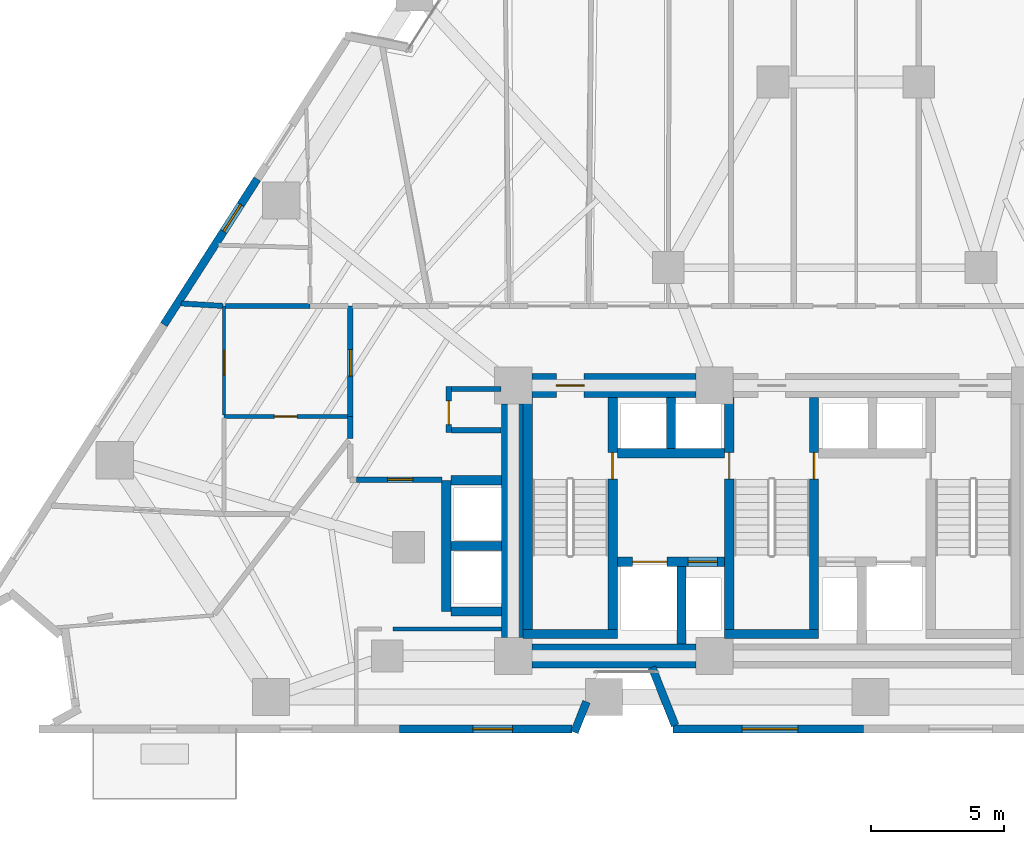
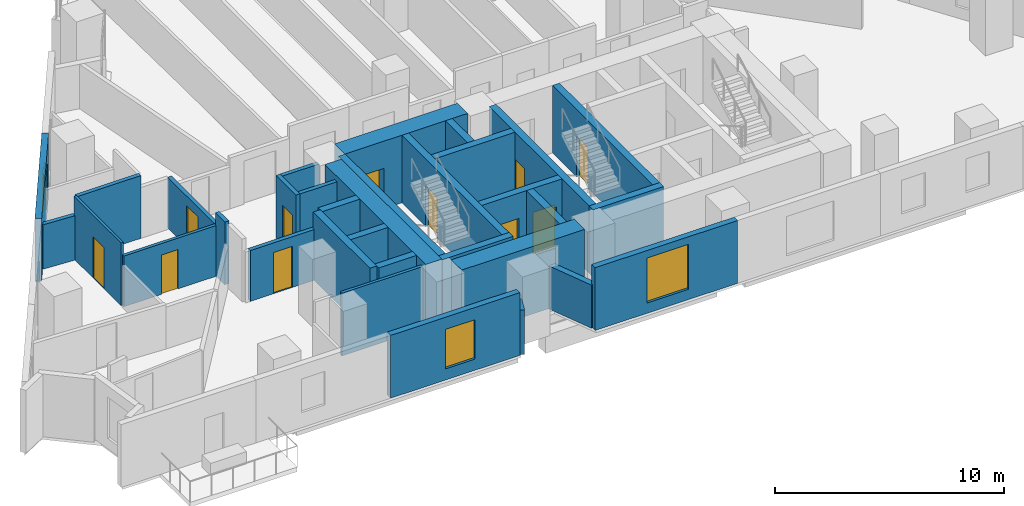
# One storey, part 8 of 15: 33 walls, 11 doors, 3 windows, 14 openings.
"""IFC4 building model written with IfcOpenShell, lengths in metres."""

from ifc_helpers import new_model, si_unit, direction, frame, frame_2d, origin, place, context, subcontext, project, spatial, rectangle, extrude, material, layer, layer_set, type_object, element, fill, save


model = new_model("IFC4")

# Units and contexts
model_context = context("Model", 3, precision=1e-05, world=origin(), true_north=direction((0.0, 1.0)))
body_context = subcontext(model_context, "Body", "Model", "MODEL_VIEW")
ifc_project = project(units=[si_unit("LENGTHUNIT", "METRE"), si_unit("AREAUNIT", "SQUARE_METRE"), si_unit("VOLUMEUNIT", "CUBIC_METRE"), si_unit("PLANEANGLEUNIT", "RADIAN"), si_unit("MASSUNIT", "GRAM", prefix="KILO")], contexts=[model_context])

# Site, building, storey
site_placement = place(None, origin())
site = spatial("IfcSite", under=ifc_project, at=site_placement, CompositionType="ELEMENT")
building_placement = place(site_placement, origin())
building = spatial("IfcBuilding", under=site, at=building_placement, Name="Almagre Mirador Tower", CompositionType="ELEMENT")
storey_placement = place(building_placement, frame((0.0, 0.0, 31.800048828125)))
storey = spatial("IfcBuildingStorey", under=building, at=storey_placement, Name="L06", CompositionType="ELEMENT", Elevation=31.800048828125)

# Wall, opening, window
ifc_material_1 = material(Name="Precast concrete C50/60", Category="concrete")
ifc_layer_1 = layer(ifc_material_1, 0.300048828125)
ifc_layer_set_1 = layer_set([ifc_layer_1], Name="Precast concrete C50/60")
wall_type_1 = type_object("IfcWallType", Name="WAL-EXT-300", PredefinedType="SOLIDWALL", material=ifc_layer_set_1)
wall_1_placement = place(storey_placement, frame((40.760986328125, 1.800048828125, 0.0), z_axis=(0.0, 0.0, 1.0), x_axis=(-1.0, 0.0, 0.0)))
wall_1 = element("IfcWall", 1, at=wall_1_placement, inside=storey, type_object=wall_type_1, Name="L06 expressed almagre precast frame wall 25", PredefinedType="SOLIDWALL", context=body_context, shape_type="SweptSolid", body=[
    extrude(rectangle(XDim=7.19287109375, YDim=0.300048828125, at=frame_2d((3.596435546875, 0.0))), origin(), (0.0, 0.0, 1.0), 3.349853515625),
])
opening_1_placement = place(wall_1_placement, frame((2.47509765625, 0.0, 0.550048828125)))
opening_1 = element("IfcOpeningElement", 2, at=opening_1_placement, cuts=wall_1, Name="Opening WN-05", PredefinedType="OPENING", context=body_context, shape_type="SweptSolid", body=[
    extrude(rectangle(XDim=2.10009765625, YDim=2.39990234375, at=frame_2d((1.050048828125, 1.199951171875))), frame((0.0, 0.159902, 0.0), z_axis=(0.0, -1.0, 0.0), x_axis=(1.0, 0.0, 0.0)), (0.0, 0.0, 1.0), 0.320049),
])
ifc_material_2 = material(Name="Dark solar-control laminated hurricane glass", Category="glass")
window_type_1 = type_object("IfcWindowType", Name="WIN-2100X2400", PartitioningType="DOUBLE_PANEL_VERTICAL", PredefinedType="WINDOW", material=ifc_material_2)
window_1_placement = place(opening_1_placement, origin())
window_1 = element("IfcWindow", 3, at=window_1_placement, inside=storey, type_object=window_type_1, Name="L06 recessed hurricane window L06-RST-C", OverallHeight=2.39990234375, OverallWidth=2.10009765625, PartitioningType="SINGLE_PANEL", PredefinedType="WINDOW", context=body_context, shape_type="SweptSolid", body=[
    extrude(rectangle(XDim=2.10009765625, YDim=2.39990234375, at=frame_2d((1.050048828125, 1.199951171875))), frame((0.0, 0.030029296875, 0.0), z_axis=(0.0, -1.0, 0.0), x_axis=(1.0, 0.0, 0.0)), (0.0, 0.0, 1.0), 0.06005859375),
])
fill(opening_1, window_1)

# Walls
wall_2_placement = place(storey_placement, frame((33.658203125, 1.92529296875, 0.0), z_axis=(0.0, 0.0, 1.0), x_axis=(-0.36946923074, 0.92924296475, 0.0)))
element("IfcWall", 4, at=wall_2_placement, inside=storey, type_object=wall_type_1, Name="L06 expressed almagre precast frame wall 26", PredefinedType="SOLIDWALL", context=body_context, shape_type="SweptSolid", body=[
    extrude(rectangle(XDim=2.366943359375, YDim=0.300048828125, at=frame_2d((1.18359375, 0.0))), origin(), (0.0, 0.0, 1.0), 2.300048828125),
])
wall_3_placement = place(storey_placement, frame((30.31396484375, 2.82080078125, 0.0), z_axis=(0.0, 0.0, 1.0), x_axis=(-0.369588763291, -0.929195429417, 0.0)))
element("IfcWall", 5, at=wall_3_placement, inside=storey, type_object=wall_type_1, Name="L06 expressed almagre precast frame wall 27", PredefinedType="SOLIDWALL", context=body_context, shape_type="SweptSolid", body=[
    extrude(rectangle(XDim=1.238525390625, YDim=0.300048828125, at=frame_2d((0.619140625, 0.0))), origin(), (0.0, 0.0, 1.0), 2.375),
])

# Wall, opening, window
wall_4_placement = place(storey_placement, frame((29.76806640625, 1.800048828125, 0.0), z_axis=(0.0, 0.0, 1.0), x_axis=(-1.0, 0.0, 0.0)))
wall_4 = element("IfcWall", 6, at=wall_4_placement, inside=storey, type_object=wall_type_1, Name="L06 expressed almagre precast frame wall 28", PredefinedType="SOLIDWALL", context=body_context, shape_type="SweptSolid", body=[
    extrude(rectangle(XDim=6.51611328125, YDim=0.300048828125, at=frame_2d((3.258056640625, 0.0))), origin(), (0.0, 0.0, 1.0), 3.349853515625),
])
opening_2_placement = place(wall_4_placement, frame((2.2451171875, 0.0, 0.60009765625)))
opening_2 = element("IfcOpeningElement", 7, at=opening_2_placement, cuts=wall_4, Name="Opening WN-03", PredefinedType="OPENING", context=body_context, shape_type="SweptSolid", body=[
    extrude(rectangle(XDim=1.5, YDim=2.10009765625, at=frame_2d((0.75, 1.050048828125))), frame((0.0, 0.159902, 0.0), z_axis=(0.0, -1.0, 0.0), x_axis=(1.0, 0.0, 0.0)), (0.0, 0.0, 1.0), 0.320049),
])
ifc_material_3 = material(Name="Dark solar-control laminated hurricane glass", Category="glass")
window_type_2 = type_object("IfcWindowType", Name="WIN-1500X2100", PartitioningType="DOUBLE_PANEL_VERTICAL", PredefinedType="WINDOW", material=ifc_material_3)
window_2_placement = place(opening_2_placement, origin())
window_2 = element("IfcWindow", 8, at=window_2_placement, inside=storey, type_object=window_type_2, Name="L06 recessed hurricane window L06-UB-KT", OverallHeight=2.10009765625, OverallWidth=1.5, PartitioningType="SINGLE_PANEL", PredefinedType="WINDOW", context=body_context, shape_type="SweptSolid", body=[
    extrude(rectangle(XDim=1.5, YDim=2.10009765625, at=frame_2d((0.75, 1.050048828125))), frame((0.0, 0.030029296875, 0.0), z_axis=(0.0, -1.0, 0.0), x_axis=(1.0, 0.0, 0.0)), (0.0, 0.0, 1.0), 0.06005859375),
])
fill(opening_2, window_2)

wall_5_placement = place(storey_placement, frame((14.3720703125, 17.049072265625, 0.0), z_axis=(0.0, 0.0, 1.0), x_axis=(0.539499522652, 0.841985905498, 0.0)))
wall_5 = element("IfcWall", 9, at=wall_5_placement, inside=storey, type_object=wall_type_1, Name="L06 expressed almagre precast frame wall 37", PredefinedType="SOLIDWALL", context=body_context, shape_type="SweptSolid", body=[
    extrude(rectangle(XDim=6.525390625, YDim=0.300048828125, at=frame_2d((3.2626953125, 0.0))), origin(), (0.0, 0.0, 1.0), 3.349853515625),
])
opening_3_placement = place(wall_5_placement, frame((4.175048828125, 0.0, 0.800048828125)))
opening_3 = element("IfcOpeningElement", 10, at=opening_3_placement, cuts=wall_5, Name="Opening WN-04", PredefinedType="OPENING", context=body_context, shape_type="SweptSolid", body=[
    extrude(rectangle(XDim=1.199951171875, YDim=1.800048828125, at=frame_2d((0.60009765625, 0.89990234375))), frame((0.0, 0.159902, 0.0), z_axis=(0.0, -1.0, 0.0), x_axis=(1.0, 0.0, 0.0)), (0.0, 0.0, 1.0), 0.320049),
])
ifc_material_4 = material(Name="Dark solar-control laminated hurricane glass", Category="glass")
window_type_3 = type_object("IfcWindowType", Name="WIN-1200X1800", PartitioningType="SINGLE_PANEL", PredefinedType="WINDOW", material=ifc_material_4)
window_3_placement = place(opening_3_placement, origin())
window_3 = element("IfcWindow", 11, at=window_3_placement, inside=storey, type_object=window_type_3, Name="L06 recessed hurricane window L06-UG-KT", OverallHeight=1.800048828125, OverallWidth=1.199951171875, PartitioningType="SINGLE_PANEL", PredefinedType="WINDOW", context=body_context, shape_type="SweptSolid", body=[
    extrude(rectangle(XDim=1.199951171875, YDim=1.800048828125, at=frame_2d((0.60009765625, 0.89990234375))), frame((0.0, 0.030029296875, 0.0), z_axis=(0.0, -1.0, 0.0), x_axis=(1.0, 0.0, 0.0)), (0.0, 0.0, 1.0), 0.06005859375),
])
fill(opening_3, window_3)

# Wall, opening, door
ifc_material_5 = material(Name="Gypsum acoustic stud partition", Category="other")
ifc_layer_2 = layer(ifc_material_5, 0.125)
ifc_layer_set_2 = layer_set([ifc_layer_2], Name="Gypsum acoustic stud partition")
wall_type_2 = type_object("IfcWallType", Name="WAL-PRT-125-UTL", PredefinedType="PARTITIONING", material=ifc_layer_set_2)
wall_6_placement = place(storey_placement, frame((16.639892578125, 17.75, 0.0), z_axis=(0.0, 0.0, 1.0), x_axis=(0.0, -1.0, 0.0)))
wall_6 = element("IfcWall", 12, at=wall_6_placement, inside=storey, type_object=wall_type_2, Name="L06 interior partition 034", PredefinedType="PARTITIONING", context=body_context, shape_type="SweptSolid", body=[
    extrude(rectangle(XDim=4.110107421875, YDim=0.125, at=frame_2d((2.05517578125, 0.0))), origin(), (0.0, 0.0, 1.0), 3.349853515625),
])
opening_4_placement = place(wall_6_placement, frame((1.668701171875, 0.0, 0.0)))
opening_4 = element("IfcOpeningElement", 13, at=opening_4_placement, cuts=wall_6, Name="Opening UD-01", PredefinedType="OPENING", context=body_context, shape_type="SweptSolid", body=[
    extrude(rectangle(XDim=0.949951171875, YDim=2.199951171875, at=frame_2d((0.47509765625, 1.10009765625))), frame((0.0, 0.0725, 0.0), z_axis=(0.0, -1.0, 0.0), x_axis=(1.0, 0.0, 0.0)), (0.0, 0.0, 1.0), 0.145),
])
ifc_material_6 = material(Name="Solid American walnut timber", Category="wood")
door_type_1 = type_object("IfcDoorType", Name="DOR-UNR-950X2200", OperationType="NOTDEFINED", PredefinedType="DOOR", material=ifc_material_6)
door_1_placement = place(opening_4_placement, origin())
door_1 = element("IfcDoor", 14, at=door_1_placement, inside=storey, type_object=door_type_1, Name="DR-0189 L06 interior door L06-UE-ST to L06-UE-KT", OperationType="SINGLE_SWING_RIGHT", OverallHeight=2.199951171875, OverallWidth=0.949951171875, PredefinedType="DOOR", context=body_context, shape_type="SweptSolid", body=[
    extrude(rectangle(XDim=0.949951171875, YDim=2.199951171875, at=frame_2d((0.47509765625, 1.10009765625))), frame((0.0, 0.02490234375, 0.0), z_axis=(0.0, -1.0, 0.0), x_axis=(1.0, 0.0, 0.0)), (0.0, 0.0, 1.0), 0.050048828125),
])
fill(opening_4, door_1)

# Wall
ifc_material_7 = material(Name="Gypsum acoustic stud partition", Category="other")
ifc_layer_3 = layer(ifc_material_7, 0.14990234375)
ifc_layer_set_3 = layer_set([ifc_layer_3], Name="Gypsum acoustic stud partition")
wall_type_3 = type_object("IfcWallType", Name="WAL-PRT-150-STD", PredefinedType="PARTITIONING", material=ifc_layer_set_3)
wall_7_placement = place(storey_placement, frame((23.02001953125, 5.570068359375, 0.0), z_axis=(0.0, 0.0, 1.0), x_axis=(1.0, 0.0, 0.0)))
element("IfcWall", 15, at=wall_7_placement, inside=storey, type_object=wall_type_3, Name="L06 interior partition 030", PredefinedType="PARTITIONING", context=body_context, shape_type="SweptSolid", body=[
    extrude(rectangle(XDim=4.080078125, YDim=0.14990234375, at=frame_2d((2.0400390625, 0.0))), origin(), (0.0, 0.0, 1.0), 3.349853515625),
])

# Wall, opening, door
wall_8_placement = place(storey_placement, frame((16.639892578125, 13.580078125, 0.0), z_axis=(0.0, 0.0, 1.0), x_axis=(1.0, 0.0, 0.0)))
wall_8 = element("IfcWall", 16, at=wall_8_placement, inside=storey, type_object=wall_type_3, Name="L06 interior partition 033", PredefinedType="PARTITIONING", context=body_context, shape_type="SweptSolid", body=[
    extrude(rectangle(XDim=4.675048828125, YDim=0.14990234375, at=frame_2d((2.33740234375, 0.0))), origin(), (0.0, 0.0, 1.0), 2.708984375),
])
opening_5_placement = place(wall_8_placement, frame((1.896484375, 0.0, 0.0)))
opening_5 = element("IfcOpeningElement", 17, at=opening_5_placement, cuts=wall_8, Name="Opening UD-04", PredefinedType="OPENING", context=body_context, shape_type="SweptSolid", body=[
    extrude(rectangle(XDim=0.85009765625, YDim=2.10009765625, at=frame_2d((0.425048828125, 1.050048828125))), frame((0.0, 0.084951, 0.0), z_axis=(0.0, -1.0, 0.0), x_axis=(1.0, 0.0, 0.0)), (0.0, 0.0, 1.0), 0.169902),
])
ifc_material_8 = material(Name="Moisture-resistant oak timber", Category="wood")
door_type_2 = type_object("IfcDoorType", Name="DOR-UNR-850X2100", OperationType="NOTDEFINED", PredefinedType="DOOR", material=ifc_material_8)
door_2_placement = place(opening_5_placement, origin())
door_2 = element("IfcDoor", 18, at=door_2_placement, inside=storey, type_object=door_type_2, Name="DR-0190 L06 interior door L06-UE-ST to L06-UE-BT", OperationType="SINGLE_SWING_LEFT", OverallHeight=2.10009765625, OverallWidth=0.85009765625, PredefinedType="DOOR", context=body_context, shape_type="SweptSolid", body=[
    extrude(rectangle(XDim=0.85009765625, YDim=2.10009765625, at=frame_2d((0.425048828125, 1.050048828125))), frame((0.0, 0.02490234375, 0.0), z_axis=(0.0, -1.0, 0.0), x_axis=(1.0, 0.0, 0.0)), (0.0, 0.0, 1.0), 0.050048828125),
])
fill(opening_5, door_2)

ifc_material_9 = material(Name="Gypsum acoustic stud partition", Category="other")
ifc_layer_4 = layer(ifc_material_9, 0.199951171875)
ifc_layer_set_4 = layer_set([ifc_layer_4], Name="Gypsum acoustic stud partition")
wall_type_4 = type_object("IfcWallType", Name="WAL-PRT-200-EI60", PredefinedType="PARTITIONING", material=ifc_layer_set_4)
wall_9_placement = place(storey_placement, frame((25.1201171875, 12.969970703125, 0.0), z_axis=(0.0, 0.0, 1.0), x_axis=(0.0, 1.0, 0.0)))
wall_9 = element("IfcWall", 19, at=wall_9_placement, inside=storey, type_object=wall_type_4, Name="L06 core ancillary west wall", PredefinedType="PARTITIONING", context=body_context, shape_type="SweptSolid", body=[
    extrude(rectangle(XDim=1.739990234375, YDim=0.199951171875, at=frame_2d((0.8701171875, 0.0))), origin(), (0.0, 0.0, 1.0), 3.349853515625),
])
opening_6_placement = place(wall_9_placement, frame((0.304931640625, 0.0, 0.0)))
opening_6 = element("IfcOpeningElement", 20, at=opening_6_placement, cuts=wall_9, Name="Opening ID-03", PredefinedType="OPENING", context=body_context, shape_type="SweptSolid", body=[
    extrude(rectangle(XDim=0.89990234375, YDim=2.10009765625, at=frame_2d((0.449951171875, 1.050048828125))), frame((0.0, 0.110098, 0.0), z_axis=(0.0, -1.0, 0.0), x_axis=(1.0, 0.0, 0.0)), (0.0, 0.0, 1.0), 0.219951),
])
ifc_material_10 = material(Name="Fire-rated hollow steel", Category="steel")
door_type_3 = type_object("IfcDoorType", Name="DOR-FD60-900X2100", OperationType="NOTDEFINED", PredefinedType="DOOR", material=ifc_material_10)
door_3_placement = place(opening_6_placement, origin())
door_3 = element("IfcDoor", 21, at=door_3_placement, inside=storey, type_object=door_type_3, Name="DR-0175 L06 core ancillary corridor door", OperationType="SINGLE_SWING_LEFT", OverallHeight=2.10009765625, OverallWidth=0.89990234375, PredefinedType="DOOR", context=body_context, shape_type="SweptSolid", body=[
    extrude(rectangle(XDim=0.89990234375, YDim=2.10009765625, at=frame_2d((0.449951171875, 1.050048828125))), frame((0.0, 0.02490234375, 0.0), z_axis=(0.0, -1.0, 0.0), x_axis=(1.0, 0.0, 0.0)), (0.0, 0.0, 1.0), 0.050048828125),
])
fill(opening_6, door_3)

# Walls
for number, where, z_axis, x_axis, name in (
    (22, (25.22509765625, 14.6201171875, 0.0), (0.0, 0.0, 1.0), (1.0, 0.0, 0.0), "L06 core ancillary north wall"),
    (23, (25.22509765625, 13.06005859375, 0.0), (0.0, 0.0, 1.0), (1.0, 0.0, 0.0), "L06 core ancillary south wall"),
):
    element("IfcWall", number, at=place(storey_placement, frame(where, z_axis=z_axis, x_axis=x_axis)), inside=storey, type_object=wall_type_4, Name=name, PredefinedType="PARTITIONING", context=body_context, shape_type="SweptSolid", body=[
        extrude(rectangle(XDim=1.85986328125, YDim=0.199951171875, at=frame_2d((0.929931640625, 0.0))), origin(), (0.0, 0.0, 1.0), 3.349853515625),
    ])

# Wall, opening, door
wall_10_placement = place(storey_placement, frame((21.6298828125, 11.199951171875, 0.0), z_axis=(0.0, 0.0, 1.0), x_axis=(1.0, 0.0, 0.0)))
wall_10 = element("IfcWall", 24, at=wall_10_placement, inside=storey, type_object=wall_type_4, Name="L06 interior partition 003", PredefinedType="PARTITIONING", context=body_context, shape_type="SweptSolid", body=[
    extrude(rectangle(XDim=3.2392578125, YDim=0.199951171875, at=frame_2d((1.61962890625, 0.0))), origin(), (0.0, 0.0, 1.0), 2.708984375),
])
opening_7_placement = place(wall_10_placement, frame((1.18505859375, 0.0, 0.0)))
opening_7 = element("IfcOpeningElement", 25, at=opening_7_placement, cuts=wall_10, Name="Opening UD-01", PredefinedType="OPENING", context=body_context, shape_type="SweptSolid", body=[
    extrude(rectangle(XDim=0.949951171875, YDim=2.199951171875, at=frame_2d((0.47509765625, 1.10009765625))), frame((0.0, 0.110098, 0.0), z_axis=(0.0, -1.0, 0.0), x_axis=(1.0, 0.0, 0.0)), (0.0, 0.0, 1.0), 0.219951),
])
door_4_placement = place(opening_7_placement, origin())
door_4 = element("IfcDoor", 26, at=door_4_placement, inside=storey, type_object=door_type_1, Name="DR-0198 L06 interior door L06-UA-KT to L06-RCOR", OperationType="SINGLE_SWING_LEFT", OverallHeight=2.199951171875, OverallWidth=0.949951171875, PredefinedType="DOOR", context=body_context, shape_type="SweptSolid", body=[
    extrude(rectangle(XDim=0.949951171875, YDim=2.199951171875, at=frame_2d((0.47509765625, 1.10009765625))), frame((0.0, 0.02490234375, 0.0), z_axis=(0.0, -1.0, 0.0), x_axis=(1.0, 0.0, 0.0)), (0.0, 0.0, 1.0), 0.050048828125),
])
fill(opening_7, door_4)

wall_11_placement = place(storey_placement, frame((21.39990234375, 17.75, 0.0), z_axis=(0.0, 0.0, 1.0), x_axis=(0.0, -1.0, 0.0)))
wall_11 = element("IfcWall", 27, at=wall_11_placement, inside=storey, type_object=wall_type_4, Name="L06 interior partition 007", PredefinedType="PARTITIONING", context=body_context, shape_type="SweptSolid", body=[
    extrude(rectangle(XDim=4.169921875, YDim=0.199951171875, at=frame_2d((2.0849609375, 0.0))), origin(), (0.0, 0.0, 1.0), 2.708984375),
])
opening_8_placement = place(wall_11_placement, frame((1.642822265625, 0.0, 0.0)))
opening_8 = element("IfcOpeningElement", 28, at=opening_8_placement, cuts=wall_11, Name="Opening ID-01", PredefinedType="OPENING", context=body_context, shape_type="SweptSolid", body=[
    extrude(rectangle(XDim=1.0, YDim=2.199951171875, at=frame_2d((0.5, 1.10009765625))), frame((0.0, 0.110098, 0.0), z_axis=(0.0, -1.0, 0.0), x_axis=(1.0, 0.0, 0.0)), (0.0, 0.0, 1.0), 0.219951),
])
ifc_material_11 = material(Name="Fire-rated walnut timber", Category="wood")
door_type_4 = type_object("IfcDoorType", Name="DOR-FD60-1000X2200", OperationType="NOTDEFINED", PredefinedType="DOOR", material=ifc_material_11)
door_5_placement = place(opening_8_placement, origin())
door_5 = element("IfcDoor", 29, at=door_5_placement, inside=storey, type_object=door_type_4, Name="DR-0188 L06 interior door L06-RCOR to L06-UE-ST", OperationType="SINGLE_SWING_LEFT", OverallHeight=2.199951171875, OverallWidth=1.0, PredefinedType="DOOR", context=body_context, shape_type="SweptSolid", body=[
    extrude(rectangle(XDim=1.0, YDim=2.199951171875, at=frame_2d((0.5, 1.10009765625))), frame((0.0, 0.02490234375, 0.0), z_axis=(0.0, -1.0, 0.0), x_axis=(1.0, 0.0, 0.0)), (0.0, 0.0, 1.0), 0.050048828125),
])
fill(opening_8, door_5)

# Walls
wall_12_placement = place(storey_placement, frame((21.39990234375, 13.580078125, 0.0), z_axis=(0.0, 0.0, 1.0), x_axis=(0.0, -1.0, 0.0)))
element("IfcWall", 30, at=wall_12_placement, inside=storey, type_object=wall_type_4, Name="L06 interior partition 008", PredefinedType="PARTITIONING", context=body_context, shape_type="SweptSolid", body=[
    extrude(rectangle(XDim=0.830078125, YDim=0.199951171875, at=frame_2d((0.4150390625, 0.0))), origin(), (0.0, 0.0, 1.0), 3.349853515625),
])
wall_13_placement = place(storey_placement, frame((19.889892578125, 17.75, 0.0), z_axis=(0.0, 0.0, 1.0), x_axis=(-1.0, 0.0, 0.0)))
element("IfcWall", 31, at=wall_13_placement, inside=storey, type_object=wall_type_4, Name="L06 interior partition 036", PredefinedType="PARTITIONING", context=body_context, shape_type="SweptSolid", body=[
    extrude(rectangle(XDim=3.202392578125, YDim=0.199951171875, at=frame_2d((1.60107421875, 0.0))), origin(), (0.0, 0.0, 1.0), 3.349853515625),
])
wall_14_placement = place(storey_placement, frame((16.592529296875, 17.752197265625, 0.0), z_axis=(0.0, 0.0, 1.0), x_axis=(-0.998181550188, 0.060279290502, 0.0)))
element("IfcWall", 32, at=wall_14_placement, inside=storey, type_object=wall_type_4, Name="L06 interior partition 038", PredefinedType="PARTITIONING", context=body_context, shape_type="SweptSolid", body=[
    extrude(rectangle(XDim=1.571533203125, YDim=0.199951171875, at=frame_2d((0.78564453125, 0.0))), origin(), (0.0, 0.0, 1.0), 2.369873046875),
])
ifc_material_12 = material(Name="Concrete C60/75", Category="concrete")
ifc_layer_5 = layer(ifc_material_12, 0.35009765625)
ifc_layer_set_5 = layer_set([ifc_layer_5], Name="Concrete C60/75")
wall_type_5 = type_object("IfcWallType", Name="WAL-SHF-350", PredefinedType="SOLIDWALL", material=ifc_layer_set_5)
wall_15_placement = place(storey_placement, frame((28.10009765625, 5.199951171875, 0.0), z_axis=(0.0, 0.0, 1.0), x_axis=(0.0, 1.0, 0.0)))
element("IfcWall", 33, at=wall_15_placement, inside=storey, type_object=wall_type_5, Name="L06 shaft wall ST1-W", PredefinedType="SOLIDWALL", context=body_context, shape_type="SweptSolid", body=[
    extrude(rectangle(XDim=9.10009765625, YDim=0.35009765625, at=frame_2d((4.550048828125, 0.0))), origin(), (0.0, 0.0, 1.0), 3.599853515625),
])

# Wall, opening, door
wall_16_placement = place(storey_placement, frame((31.300048828125, 5.199951171875, 0.0), z_axis=(0.0, 0.0, 1.0), x_axis=(0.0, 1.0, 0.0)))
wall_16 = element("IfcWall", 34, at=wall_16_placement, inside=storey, type_object=wall_type_5, Name="L06 shaft wall ST1-E", PredefinedType="SOLIDWALL", context=body_context, shape_type="SweptSolid", body=[
    extrude(rectangle(XDim=9.10009765625, YDim=0.35009765625, at=frame_2d((4.550048828125, 0.0))), origin(), (0.0, 0.0, 1.0), 3.599853515625),
])
opening_9_placement = place(wall_16_placement, frame((6.02001953125, 0.0, 0.0)))
opening_9 = element("IfcOpeningElement", 35, at=opening_9_placement, cuts=wall_16, Name="Opening FD-01", PredefinedType="OPENING", context=body_context, shape_type="SweptSolid", body=[
    extrude(rectangle(XDim=1.0, YDim=2.14990234375, at=frame_2d((0.5, 1.074951171875))), frame((0.0, 0.185049, 0.0), z_axis=(0.0, -1.0, 0.0), x_axis=(1.0, 0.0, 0.0)), (0.0, 0.0, 1.0), 0.370098),
])
ifc_material_13 = material(Name="Fire-rated hollow steel", Category="steel")
door_type_5 = type_object("IfcDoorType", Name="DOR-FFL-1000X2150", OperationType="NOTDEFINED", PredefinedType="DOOR", material=ifc_material_13)
door_6_placement = place(opening_9_placement, origin())
door_6 = element("IfcDoor", 36, at=door_6_placement, inside=storey, type_object=door_type_5, Name="DR-0176 L06 FFL1-ST1 smokeproof door", OperationType="SINGLE_SWING_LEFT", OverallHeight=2.14990234375, OverallWidth=1.0, PredefinedType="DOOR", context=body_context, shape_type="SweptSolid", body=[
    extrude(rectangle(XDim=1.0, YDim=2.14990234375, at=frame_2d((0.5, 1.074951171875))), frame((0.0, 0.02490234375, 0.0), z_axis=(0.0, -1.0, 0.0), x_axis=(1.0, 0.0, 0.0)), (0.0, 0.0, 1.0), 0.050048828125),
])
fill(opening_9, door_6)

# Wall
wall_17_placement = place(storey_placement, frame((27.925048828125, 5.375, 0.0), z_axis=(0.0, 0.0, 1.0), x_axis=(1.0, 0.0, 0.0)))
element("IfcWall", 37, at=wall_17_placement, inside=storey, type_object=wall_type_5, Name="L06 shaft wall ST1-S", PredefinedType="SOLIDWALL", context=body_context, shape_type="SweptSolid", body=[
    extrude(rectangle(XDim=3.550048828125, YDim=0.35009765625, at=frame_2d((1.77490234375, 0.0))), origin(), (0.0, 0.0, 1.0), 3.599853515625),
])

# Wall, opening, door
wall_18_placement = place(storey_placement, frame((35.699951171875, 5.199951171875, 0.0), z_axis=(0.0, 0.0, 1.0), x_axis=(0.0, 1.0, 0.0)))
wall_18 = element("IfcWall", 38, at=wall_18_placement, inside=storey, type_object=wall_type_5, Name="L06 shaft wall ST2-W", PredefinedType="SOLIDWALL", context=body_context, shape_type="SweptSolid", body=[
    extrude(rectangle(XDim=9.10009765625, YDim=0.35009765625, at=frame_2d((4.550048828125, 0.0))), origin(), (0.0, 0.0, 1.0), 3.599853515625),
])
opening_10_placement = place(wall_18_placement, frame((6.02001953125, 0.0, 0.0)))
opening_10 = element("IfcOpeningElement", 39, at=opening_10_placement, cuts=wall_18, Name="Opening FD-01", PredefinedType="OPENING", context=body_context, shape_type="SweptSolid", body=[
    extrude(rectangle(XDim=1.0, YDim=2.14990234375, at=frame_2d((0.5, 1.074951171875))), frame((0.0, 0.185049, 0.0), z_axis=(0.0, -1.0, 0.0), x_axis=(1.0, 0.0, 0.0)), (0.0, 0.0, 1.0), 0.370098),
])
door_7_placement = place(opening_10_placement, origin())
door_7 = element("IfcDoor", 40, at=door_7_placement, inside=storey, type_object=door_type_5, Name="DR-0177 L06 FFL1-ST2 smokeproof door", OperationType="SINGLE_SWING_RIGHT", OverallHeight=2.14990234375, OverallWidth=1.0, PredefinedType="DOOR", context=body_context, shape_type="SweptSolid", body=[
    extrude(rectangle(XDim=1.0, YDim=2.14990234375, at=frame_2d((0.5, 1.074951171875))), frame((0.0, 0.02490234375, 0.0), z_axis=(0.0, -1.0, 0.0), x_axis=(1.0, 0.0, 0.0)), (0.0, 0.0, 1.0), 0.050048828125),
])
fill(opening_10, door_7)

wall_19_placement = place(storey_placement, frame((38.89990234375, 5.199951171875, 0.0), z_axis=(0.0, 0.0, 1.0), x_axis=(0.0, 1.0, 0.0)))
wall_19 = element("IfcWall", 41, at=wall_19_placement, inside=storey, type_object=wall_type_5, Name="L06 shaft wall ST2-E", PredefinedType="SOLIDWALL", context=body_context, shape_type="SweptSolid", body=[
    extrude(rectangle(XDim=9.10009765625, YDim=0.35009765625, at=frame_2d((4.550048828125, 0.0))), origin(), (0.0, 0.0, 1.0), 3.599853515625),
])
opening_11_placement = place(wall_19_placement, frame((6.02001953125, 0.0, 0.0)))
opening_11 = element("IfcOpeningElement", 42, at=opening_11_placement, cuts=wall_19, Name="Opening FD-01", PredefinedType="OPENING", context=body_context, shape_type="SweptSolid", body=[
    extrude(rectangle(XDim=1.0, YDim=2.14990234375, at=frame_2d((0.5, 1.074951171875))), frame((0.0, 0.185049, 0.0), z_axis=(0.0, -1.0, 0.0), x_axis=(1.0, 0.0, 0.0)), (0.0, 0.0, 1.0), 0.370098),
])
door_8_placement = place(opening_11_placement, origin())
door_8 = element("IfcDoor", 43, at=door_8_placement, inside=storey, type_object=door_type_5, Name="DR-0178 L06 FFL2-ST2 smokeproof door", OperationType="SINGLE_SWING_LEFT", OverallHeight=2.14990234375, OverallWidth=1.0, PredefinedType="DOOR", context=body_context, shape_type="SweptSolid", body=[
    extrude(rectangle(XDim=1.0, YDim=2.14990234375, at=frame_2d((0.5, 1.074951171875))), frame((0.0, 0.02490234375, 0.0), z_axis=(0.0, -1.0, 0.0), x_axis=(1.0, 0.0, 0.0)), (0.0, 0.0, 1.0), 0.050048828125),
])
fill(opening_11, door_8)

# Wall
wall_20_placement = place(storey_placement, frame((35.52490234375, 5.375, 0.0), z_axis=(0.0, 0.0, 1.0), x_axis=(1.0, 0.0, 0.0)))
element("IfcWall", 44, at=wall_20_placement, inside=storey, type_object=wall_type_5, Name="L06 shaft wall ST2-S", PredefinedType="SOLIDWALL", context=body_context, shape_type="SweptSolid", body=[
    extrude(rectangle(XDim=3.550048828125, YDim=0.35009765625, at=frame_2d((1.77490234375, 0.0))), origin(), (0.0, 0.0, 1.0), 3.599853515625),
])

# Wall, openings, doors
wall_21_placement = place(storey_placement, frame((31.47509765625, 8.10009765625, 0.0), z_axis=(0.0, 0.0, 1.0), x_axis=(1.0, 0.0, 0.0)))
wall_21 = element("IfcWall", 45, at=wall_21_placement, inside=storey, type_object=wall_type_5, Name="L06 shaft wall FSAE1-N", PredefinedType="SOLIDWALL", context=body_context, shape_type="SweptSolid", body=[
    extrude(rectangle(XDim=4.0498046875, YDim=0.35009765625, at=frame_2d((2.02490234375, 0.0))), origin(), (0.0, 0.0, 1.0), 3.599853515625),
])
opening_12_placement = place(wall_21_placement, frame((0.574951171875, 0.0, 0.0)))
opening_12 = element("IfcOpeningElement", 46, at=opening_12_placement, cuts=wall_21, Name="Opening LD-03", PredefinedType="OPENING", context=body_context, shape_type="SweptSolid", body=[
    extrude(rectangle(XDim=1.300048828125, YDim=2.25, at=frame_2d((0.64990234375, 1.125))), frame((0.0, 0.185049, 0.0), z_axis=(0.0, -1.0, 0.0), x_axis=(1.0, 0.0, 0.0)), (0.0, 0.0, 1.0), 0.370098),
])
opening_13_placement = place(wall_21_placement, frame((2.675048828125, 0.0, 0.0)))
opening_13 = element("IfcOpeningElement", 47, at=opening_13_placement, cuts=wall_21, Name="Opening LD-01", PredefinedType="OPENING", context=body_context, shape_type="SweptSolid", body=[
    extrude(rectangle(XDim=1.10009765625, YDim=2.199951171875, at=frame_2d((0.550048828125, 1.10009765625))), frame((0.0, 0.185049, 0.0), z_axis=(0.0, -1.0, 0.0), x_axis=(1.0, 0.0, 0.0)), (0.0, 0.0, 1.0), 0.370098),
])
ifc_material_14 = material(Name="Hollow stainless steel", Category="steel")
door_type_6 = type_object("IfcDoorType", Name="DOR-LD-1100X2200", OperationType="DOUBLE_DOOR_SLIDING", PredefinedType="DOOR", material=ifc_material_14)
door_9_placement = place(opening_13_placement, origin())
door_9 = element("IfcDoor", 48, at=door_9_placement, inside=storey, type_object=door_type_6, Name="DR-0201 L06 PL-L1 lift landing door", OperationType="DOUBLE_DOOR_SLIDING", OverallHeight=2.199951171875, OverallWidth=1.10009765625, PredefinedType="DOOR", context=body_context, shape_type="SweptSolid", body=[
    extrude(rectangle(XDim=1.10009765625, YDim=2.199951171875, at=frame_2d((0.550048828125, 1.10009765625))), frame((0.0, 0.02490234375, 0.0), z_axis=(0.0, -1.0, 0.0), x_axis=(1.0, 0.0, 0.0)), (0.0, 0.0, 1.0), 0.050048828125),
])
fill(opening_13, door_9)
ifc_material_15 = material(Name="Hollow stainless steel", Category="steel")
door_type_7 = type_object("IfcDoorType", Name="DOR-LD-1300X2250", OperationType="DOUBLE_DOOR_SLIDING", PredefinedType="DOOR", material=ifc_material_15)
door_10_placement = place(opening_12_placement, origin())
door_10 = element("IfcDoor", 49, at=door_10_placement, inside=storey, type_object=door_type_7, Name="DR-0199 L06 FSAE-1 lift landing door", OperationType="DOUBLE_DOOR_SLIDING", OverallHeight=2.25, OverallWidth=1.300048828125, PredefinedType="DOOR", context=body_context, shape_type="SweptSolid", body=[
    extrude(rectangle(XDim=1.300048828125, YDim=2.25, at=frame_2d((0.64990234375, 1.125))), frame((0.0, 0.02490234375, 0.0), z_axis=(0.0, -1.0, 0.0), x_axis=(1.0, 0.0, 0.0)), (0.0, 0.0, 1.0), 0.050048828125),
])
fill(opening_12, door_10)

# Walls
wall_22_placement = place(storey_placement, frame((33.89990234375, 5.0, 0.0), z_axis=(0.0, 0.0, 1.0), x_axis=(0.0, 1.0, 0.0)))
element("IfcWall", 50, at=wall_22_placement, inside=storey, type_object=wall_type_5, Name="L06 shaft wall FSAE1-E", PredefinedType="SOLIDWALL", context=body_context, shape_type="SweptSolid", body=[
    extrude(rectangle(XDim=2.925048828125, YDim=0.35009765625, at=frame_2d((1.46240234375, 0.0))), origin(), (0.0, 0.0, 1.0), 3.599853515625),
])
wall_23_placement = place(storey_placement, frame((31.47509765625, 12.199951171875, 0.0), z_axis=(0.0, 0.0, 1.0), x_axis=(1.0, 0.0, 0.0)))
element("IfcWall", 51, at=wall_23_placement, inside=storey, type_object=wall_type_5, Name="L06 shaft wall PLM-S", PredefinedType="SOLIDWALL", context=body_context, shape_type="SweptSolid", body=[
    extrude(rectangle(XDim=4.0498046875, YDim=0.35009765625, at=frame_2d((2.02490234375, 0.0))), origin(), (0.0, 0.0, 1.0), 3.599853515625),
])
wall_24_placement = place(storey_placement, frame((33.5, 12.375, 0.0), z_axis=(0.0, 0.0, 1.0), x_axis=(0.0, 1.0, 0.0)))
element("IfcWall", 52, at=wall_24_placement, inside=storey, type_object=wall_type_5, Name="L06 shaft wall PLM-M", PredefinedType="SOLIDWALL", context=body_context, shape_type="SweptSolid", body=[
    extrude(rectangle(XDim=1.925048828125, YDim=0.35009765625, at=frame_2d((0.96240234375, 0.0))), origin(), (0.0, 0.0, 1.0), 3.599853515625),
])
wall_25_placement = place(storey_placement, frame((25.02490234375, 6.22509765625, 0.0), z_axis=(0.0, 0.0, 1.0), x_axis=(0.0, 1.0, 0.0)))
element("IfcWall", 53, at=wall_25_placement, inside=storey, type_object=wall_type_5, Name="L06 shaft wall OL-W", PredefinedType="SOLIDWALL", context=body_context, shape_type="SweptSolid", body=[
    extrude(rectangle(XDim=4.949951171875, YDim=0.35009765625, at=frame_2d((2.47509765625, 0.0))), origin(), (0.0, 0.0, 1.0), 3.599853515625),
])
for number, where, z_axis, x_axis, name in (
    (54, (25.199951171875, 6.22509765625, 0.0), (0.0, 0.0, 1.0), (1.0, 0.0, 0.0), "L06 shaft wall OL-S"),
    (55, (25.199951171875, 8.699951171875, 0.0), (0.0, 0.0, 1.0), (1.0, 0.0, 0.0), "L06 shaft wall OL-M"),
    (56, (25.199951171875, 11.175048828125, 0.0), (0.0, 0.0, 1.0), (1.0, 0.0, 0.0), "L06 shaft wall OL-N"),
):
    element("IfcWall", number, at=place(storey_placement, frame(where, z_axis=z_axis, x_axis=x_axis)), inside=storey, type_object=wall_type_5, Name=name, PredefinedType="SOLIDWALL", context=body_context, shape_type="SweptSolid", body=[
        extrude(rectangle(XDim=1.900146484375, YDim=0.35009765625, at=frame_2d((0.9501953125, 0.0))), origin(), (0.0, 0.0, 1.0), 3.599853515625),
    ])
ifc_material_16 = material(Name="Concrete C70/85", Category="concrete")
ifc_layer_6 = layer(ifc_material_16, 0.89990234375)
ifc_layer_set_6 = layer_set([ifc_layer_6], Name="Concrete C70/85")
wall_type_6 = type_object("IfcWallType", Name="WAL-SHR-900", PredefinedType="SHEAR", material=ifc_layer_set_6)
wall_26_placement = place(storey_placement, frame((28.25, 4.550048828125, 0.0), z_axis=(0.0, 0.0, 1.0), x_axis=(1.0, 0.0, 0.0)))
element("IfcWall", 57, at=wall_26_placement, inside=storey, type_object=wall_type_6, Name="L06 core shear wall S1", PredefinedType="SHEAR", context=body_context, shape_type="SweptSolid", body=[
    extrude(rectangle(XDim=6.199951171875, YDim=0.89990234375, at=frame_2d((3.10009765625, 0.0))), origin(), (0.0, 0.0, 1.0), 3.599853515625),
])

# Wall, opening, door
wall_27_placement = place(storey_placement, frame((28.25, 14.75, 0.0), z_axis=(0.0, 0.0, 1.0), x_axis=(1.0, 0.0, 0.0)))
wall_27 = element("IfcWall", 58, at=wall_27_placement, inside=storey, type_object=wall_type_6, Name="L06 core shear wall N1", PredefinedType="SHEAR", context=body_context, shape_type="SweptSolid", body=[
    extrude(rectangle(XDim=6.199951171875, YDim=0.89990234375, at=frame_2d((3.10009765625, 0.0))), origin(), (0.0, 0.0, 1.0), 3.599853515625),
])
opening_14_placement = place(wall_27_placement, frame((0.925048828125, 0.0, 0.0)))
opening_14 = element("IfcOpeningElement", 59, at=opening_14_placement, cuts=wall_27, Name="Opening SD-01", PredefinedType="OPENING", context=body_context, shape_type="SweptSolid", body=[
    extrude(rectangle(XDim=1.050048828125, YDim=2.14990234375, at=frame_2d((0.52490234375, 1.074951171875))), frame((0.0, 0.459951, 0.0), z_axis=(0.0, -1.0, 0.0), x_axis=(1.0, 0.0, 0.0)), (0.0, 0.0, 1.0), 0.919902),
])
ifc_material_17 = material(Name="Fire-rated hollow steel", Category="steel")
door_type_8 = type_object("IfcDoorType", Name="DOR-ST-1050X2150", OperationType="NOTDEFINED", PredefinedType="DOOR", material=ifc_material_17)
door_11_placement = place(opening_14_placement, origin())
door_11 = element("IfcDoor", 60, at=door_11_placement, inside=storey, type_object=door_type_8, Name="DR-0203 L06 protected exit stair ST-1 door", OperationType="SINGLE_SWING_RIGHT", OverallHeight=2.14990234375, OverallWidth=1.050048828125, PredefinedType="DOOR", context=body_context, shape_type="SweptSolid", body=[
    extrude(rectangle(XDim=1.050048828125, YDim=2.14990234375, at=frame_2d((0.52490234375, 1.074951171875))), frame((0.0, 0.02490234375, 0.0), z_axis=(0.0, -1.0, 0.0), x_axis=(1.0, 0.0, 0.0)), (0.0, 0.0, 1.0), 0.050048828125),
])
fill(opening_14, door_11)

# Wall
wall_28_placement = place(storey_placement, frame((27.550048828125, 5.25, 0.0), z_axis=(0.0, 0.0, 1.0), x_axis=(0.0, 1.0, 0.0)))
element("IfcWall", 61, at=wall_28_placement, inside=storey, type_object=wall_type_6, Name="L06 core shear wall W1", PredefinedType="SHEAR", context=body_context, shape_type="SweptSolid", body=[
    extrude(rectangle(XDim=8.800048828125, YDim=0.89990234375, at=frame_2d((4.39990234375, 0.0))), origin(), (0.0, 0.0, 1.0), 3.599853515625),
])

save(model, "model.ifc")
